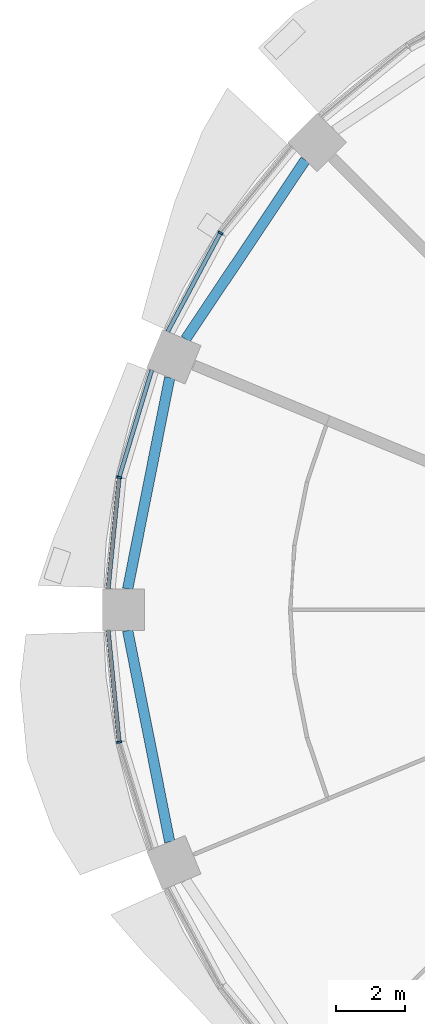
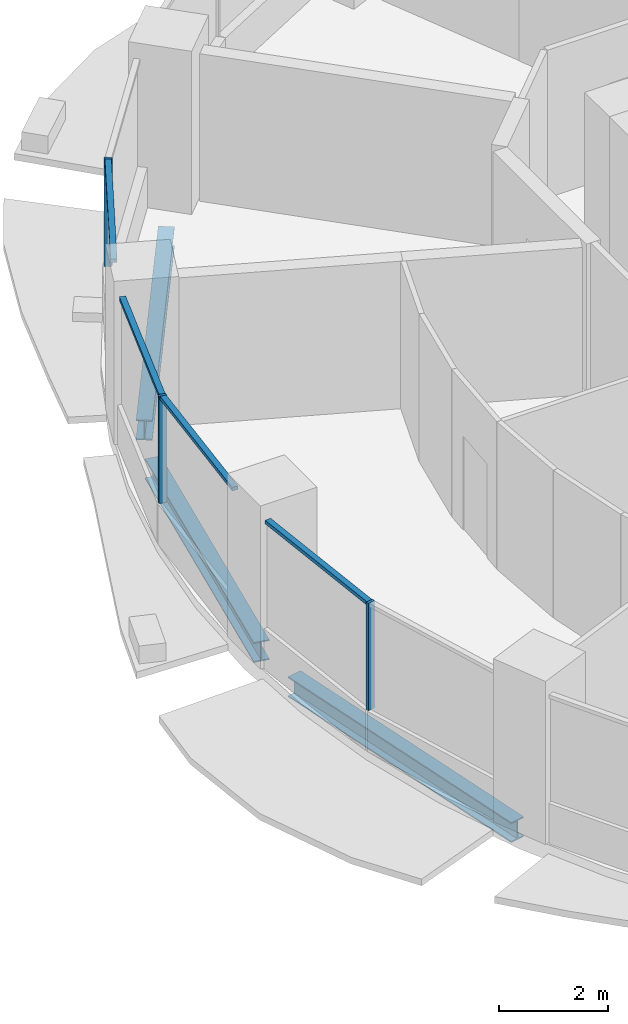
# One storey, part 4 of 15: 7 members, 3 beams, 3 elements without a shape of their own.
"""IFC4 building model written with IfcOpenShell, lengths in metres."""

from ifc_helpers import new_model, si_unit, direction, frame, origin, origin_2d, place, context, subcontext, project, spatial, rectangle, i_section, extrude, material, material_profile, profile_set, type_object, element, aggregate, save


model = new_model("IFC4")

# Units and contexts
model_context = context("Model", 3, precision=1e-05, world=origin(), true_north=direction((0.0, 1.0)))
body_context = subcontext(model_context, "Body", "Model", "MODEL_VIEW")
ifc_project = project(units=[si_unit("LENGTHUNIT", "METRE"), si_unit("AREAUNIT", "SQUARE_METRE"), si_unit("VOLUMEUNIT", "CUBIC_METRE"), si_unit("PLANEANGLEUNIT", "RADIAN"), si_unit("MASSUNIT", "GRAM", prefix="KILO")], contexts=[model_context])

# Site, building, storey
site_placement = place(None, origin())
site = spatial("IfcSite", under=ifc_project, at=site_placement, CompositionType="ELEMENT")
building_placement = place(site_placement, origin())
building = spatial("IfcBuilding", under=site, at=building_placement, Name="Polderwave Tower", CompositionType="ELEMENT")
storey_placement = place(building_placement, frame((0.0, 0.0, 48.10009765625)))
storey = spatial("IfcBuildingStorey", under=building, at=storey_placement, Name="L12", CompositionType="ELEMENT", Elevation=48.10009765625)

# Curtain wall, member
ifc_material_1 = material(Name="Aluminium 6063-T6 and glass", Category="aluminium")
curtain_wall_type = type_object("IfcCurtainWallType", Name="Growing floor ribbon glazing wall", PredefinedType="NOTDEFINED", material=ifc_material_1)
curtain_wall_1_placement = place(storey_placement, origin())
curtain_wall_1 = element("IfcCurtainWall", 1, at=curtain_wall_1_placement, inside=storey, type_object=curtain_wall_type, Name="CW2 L12 06", PredefinedType="NOTDEFINED")
ifc_material_2 = material(Name="Aluminium 6063-T6", Category="aluminium")
ifc_material_profile_1 = material_profile(ifc_material_2, rectangle(XDim=0.14990234375, YDim=0.06005859375, at=origin_2d()), Name="AL 60x150")
ifc_profile_set_1 = profile_set([ifc_material_profile_1], Name="Aluminium 6063-T6")
member_type_1 = type_object("IfcMemberType", Name="Growing floor ribbon glazing mullion 60x150", PredefinedType="MULLION", material=ifc_profile_set_1)
member_1_placement = place(storey_placement, frame((-16.239013671875, 10.85009765625, 0.89990234375), z_axis=(0.0, 0.0, 1.0), x_axis=(0.83146573367, -0.555576037759, 0.0)))
member_1 = element("IfcMember", 2, at=member_1_placement, type_object=member_type_1, Name="CW2 mullion 1", PredefinedType="MULLION", context=body_context, shape_type="SweptSolid", body=[
    extrude(rectangle(XDim=0.14990234375, YDim=0.06005859375, at=origin_2d()), origin(), (0.0, 0.0, 1.0), 2.39990234375),
])

curtain_wall_2_placement = place(storey_placement, origin())
curtain_wall_2 = element("IfcCurtainWall", 3, at=curtain_wall_2_placement, inside=storey, type_object=curtain_wall_type, Name="CW2 L12 07", PredefinedType="NOTDEFINED")
member_2_placement = place(storey_placement, frame((-19.155029296875, 3.81005859375, 0.89990234375), z_axis=(0.0, 0.0, 1.0), x_axis=(0.980773701784, -0.195148522643, 0.0)))
member_2 = element("IfcMember", 4, at=member_2_placement, type_object=member_type_1, Name="CW2 mullion 1", PredefinedType="MULLION", context=body_context, shape_type="SweptSolid", body=[
    extrude(rectangle(XDim=0.14990234375, YDim=0.06005859375, at=origin_2d()), origin(), (0.0, 0.0, 1.0), 2.39990234375),
])

curtain_wall_3_placement = place(storey_placement, origin())
curtain_wall_3 = element("IfcCurtainWall", 5, at=curtain_wall_3_placement, inside=storey, type_object=curtain_wall_type, Name="CW2 L12 08", PredefinedType="NOTDEFINED")
member_3_placement = place(storey_placement, frame((-19.155029296875, -3.81005859375, 0.89990234375), z_axis=(0.0, 0.0, 1.0), x_axis=(0.980773701784, 0.195148522643, 0.0)))
member_3 = element("IfcMember", 6, at=member_3_placement, type_object=member_type_1, Name="CW2 mullion 1", PredefinedType="MULLION", context=body_context, shape_type="SweptSolid", body=[
    extrude(rectangle(XDim=0.14990234375, YDim=0.06005859375, at=origin_2d()), origin(), (0.0, 0.0, 1.0), 2.39990234375),
])

# Member
ifc_material_profile_2 = material_profile(ifc_material_2, rectangle(XDim=0.1201171875, YDim=0.080078125, at=origin_2d()), Name="AL 80x120")
ifc_profile_set_2 = profile_set([ifc_material_profile_2], Name="Aluminium 6063-T6")
member_type_2 = type_object("IfcMemberType", Name="Growing floor ribbon glazing transom 80x120", PredefinedType="USERDEFINED", material=ifc_profile_set_2)
member_4_placement = place(storey_placement, frame((-16.253173828125, 10.823486328125, 3.260009765625), z_axis=(-0.471381370673, -0.881929477556, 0.0), x_axis=(0.881929477556, -0.471381370673, 0.0)))
member_4 = element("IfcMember", 7, at=member_4_placement, type_object=member_type_2, Name="CW2 transom 2", ObjectType="TRANSOM", PredefinedType="USERDEFINED", context=body_context, shape_type="SweptSolid", body=[
    extrude(rectangle(XDim=0.1201171875, YDim=0.080078125, at=origin_2d()), origin(), (0.0, 0.0, 1.0), 3.194580078125),
])

aggregate(curtain_wall_1, [member_1, member_4])

member_5_placement = place(storey_placement, frame((-18.218017578125, 6.89697265625, 3.260009765625), z_axis=(-0.290422902272, -0.95689839473, 0.0), x_axis=(0.95689839473, -0.290422902272, 0.0)))
member_5 = element("IfcMember", 8, at=member_5_placement, type_object=member_type_2, Name="CW2 transom 1", ObjectType="TRANSOM", PredefinedType="USERDEFINED", context=body_context, shape_type="SweptSolid", body=[
    extrude(rectangle(XDim=0.1201171875, YDim=0.080078125, at=origin_2d()), origin(), (0.0, 0.0, 1.0), 3.196044921875),
])

member_6_placement = place(storey_placement, frame((-19.157958984375, 3.780029296875, 3.260009765625), z_axis=(-0.097952778777, -0.99519106363, 0.0), x_axis=(0.99519106363, -0.097952778777, 0.0)))
member_6 = element("IfcMember", 9, at=member_6_placement, type_object=member_type_2, Name="CW2 transom 2", ObjectType="TRANSOM", PredefinedType="USERDEFINED", context=body_context, shape_type="SweptSolid", body=[
    extrude(rectangle(XDim=0.1201171875, YDim=0.080078125, at=origin_2d()), origin(), (0.0, 0.0, 1.0), 3.1953125),
])

aggregate(curtain_wall_2, [member_2, member_5, member_6])

member_7_placement = place(storey_placement, frame((-19.470947265625, -0.60009765625, 3.260009765625), z_axis=(0.097952778777, -0.99519106363, 0.0), x_axis=(0.99519106363, 0.097952778777, 0.0)))
member_7 = element("IfcMember", 10, at=member_7_placement, type_object=member_type_2, Name="CW2 transom 1", ObjectType="TRANSOM", PredefinedType="USERDEFINED", context=body_context, shape_type="SweptSolid", body=[
    extrude(rectangle(XDim=0.1201171875, YDim=0.080078125, at=origin_2d()), origin(), (0.0, 0.0, 1.0), 3.1953125),
])

aggregate(curtain_wall_3, [member_3, member_7])

# Beams
ifc_material_3 = material(Name="Steel S355", Category="steel")
ifc_material_profile_3 = material_profile(ifc_material_3, i_section(OverallWidth=0.300048828125, OverallDepth=0.449951171875, WebThickness=0.013916015625, FlangeThickness=0.02587890625, at=origin_2d()), Name="HE 450 B")
ifc_profile_set_3 = profile_set([ifc_material_profile_3], Name="Steel S355")
beam_type = type_object("IfcBeamType", Name="RING BEAM HE 450 B", PredefinedType="BEAM", material=ifc_profile_set_3)
beam_placement = place(storey_placement, frame((-13.796142578125, 12.947509765625, -0.5751953125), z_axis=(-0.555553875554, -0.831480541779, 0.0), x_axis=(0.831480541779, -0.555553875554, 0.0)))
element("IfcBeam", 11, at=beam_placement, inside=storey, type_object=beam_type, Name="ST-RB-L12-06", PredefinedType="BEAM", context=body_context, shape_type="SweptSolid", body=[
    extrude(i_section(OverallWidth=0.300048828125, OverallDepth=0.449951171875, WebThickness=0.013916015625, FlangeThickness=0.02587890625, at=origin_2d()), origin(), (0.0, 0.0, 1.0), 6.20166015625),
])
for number, where, z_axis, x_axis, name in (
    (12, (-17.70068359375, 6.682373046875, -0.5751953125), (-0.195109112701, -0.980781542517, 0.0), (0.980781542517, -0.195109112701, 0.0), "ST-RB-L12-07"),
    (13, (-18.91064453125, -0.60009765625, -0.5751953125), (0.195109112701, -0.980781542517, 0.0), (0.980781542517, 0.195109112701, 0.0), "ST-RB-L12-08"),
):
    element("IfcBeam", number, at=place(storey_placement, frame(where, z_axis=z_axis, x_axis=x_axis)), inside=storey, type_object=beam_type, Name=name, PredefinedType="BEAM", context=body_context, shape_type="SweptSolid", body=[
        extrude(i_section(OverallWidth=0.300048828125, OverallDepth=0.449951171875, WebThickness=0.013916015625, FlangeThickness=0.02587890625, at=origin_2d()), origin(), (0.0, 0.0, 1.0), 6.201416015625),
    ])

save(model, "model.ifc")
